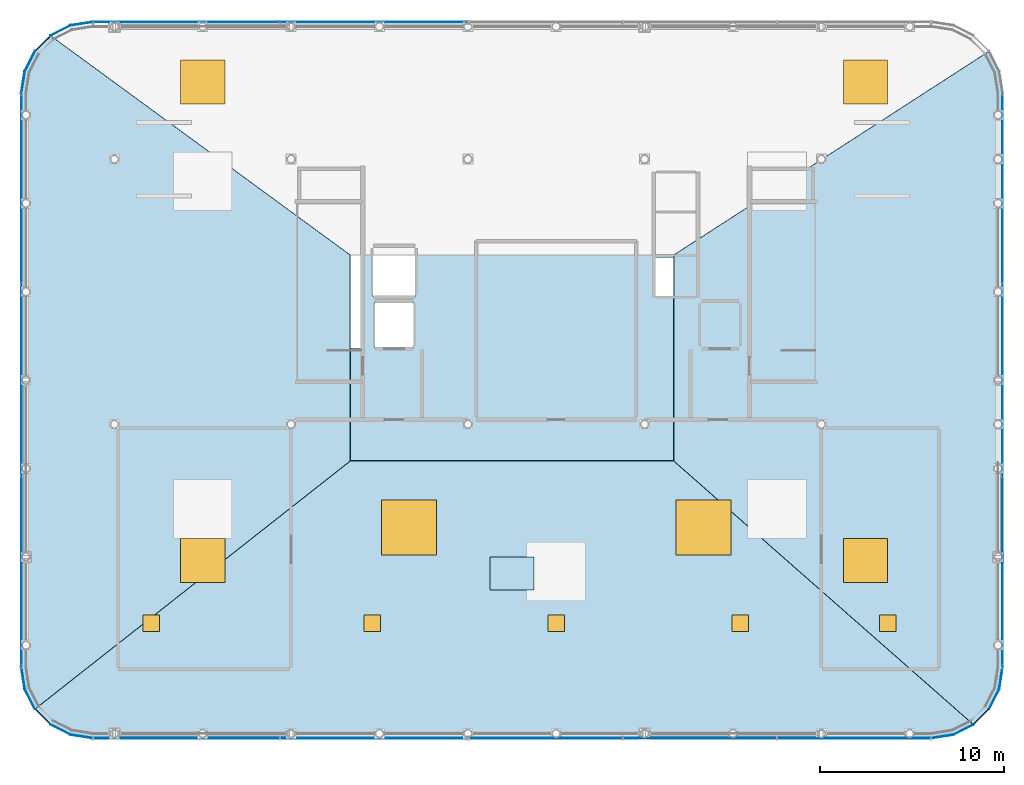
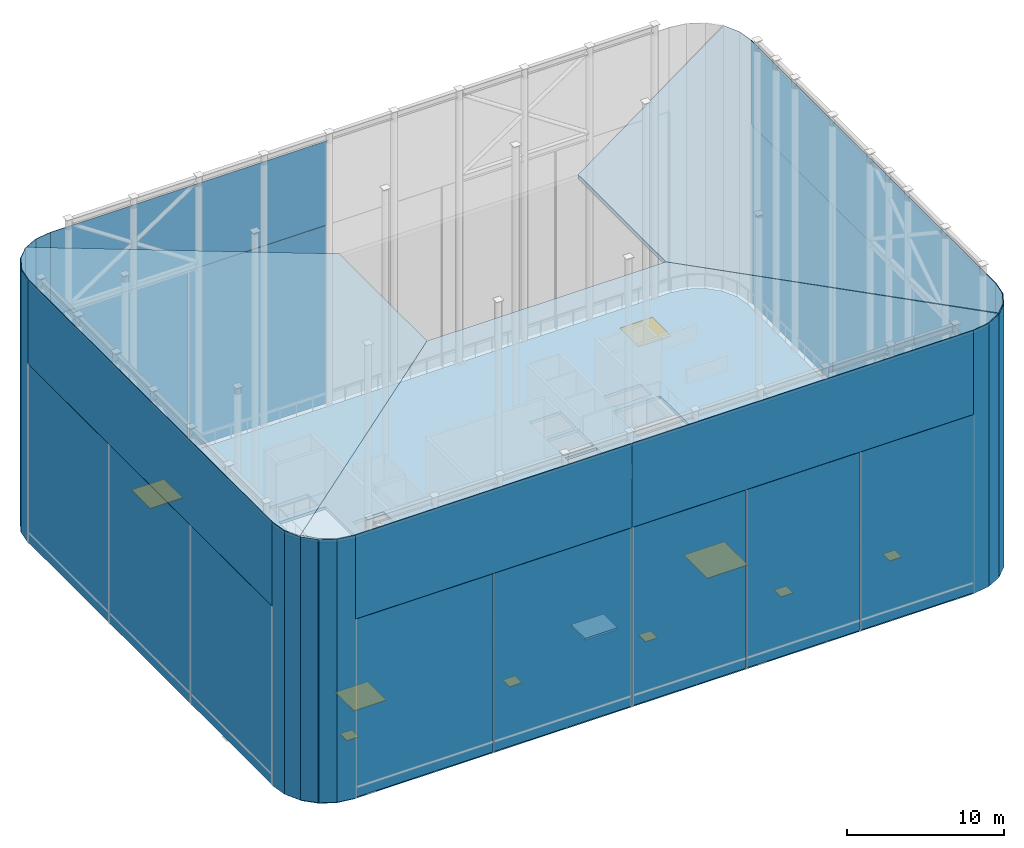
# One storey, part 35 of 42: 33 plates, 6 windows, 5 doors, 5 slabs, 11 openings, 5 elements without a shape of their own.
"""IFC4 building model written with IfcOpenShell, lengths in metres."""

from ifc_helpers import new_model, si_unit, direction, frame, origin, origin_2d, place, context, subcontext, project, spatial, polyline, rectangle, outline, extrude, material, layer, layer_set, type_object, element, fill, aggregate, save


model = new_model("IFC4")

# Units and contexts
model_context = context("Model", 3, precision=1e-05, world=origin(), true_north=direction((0.0, 1.0)))
body_context = subcontext(model_context, "Body", "Model", "MODEL_VIEW")
ifc_project = project(units=[si_unit("LENGTHUNIT", "METRE"), si_unit("AREAUNIT", "SQUARE_METRE"), si_unit("VOLUMEUNIT", "CUBIC_METRE"), si_unit("PLANEANGLEUNIT", "RADIAN"), si_unit("MASSUNIT", "GRAM", prefix="KILO")], contexts=[model_context])

# Site, building, storey
site_placement = place(None, origin())
site = spatial("IfcSite", under=ifc_project, at=site_placement, CompositionType="ELEMENT")
building_placement = place(site_placement, origin())
building = spatial("IfcBuilding", under=site, at=building_placement, Name="Kallvorn Hotel Tower", CompositionType="ELEMENT")
storey_placement = place(building_placement, frame((0.0, 0.0, 306.0)))
storey = spatial("IfcBuildingStorey", under=building, at=storey_placement, Name="ROOF", CompositionType="ELEMENT", Elevation=306.0)

# Curtain wall, plates
ifc_material_1 = material(Name="Thermally broken black-anodised aluminium AA 6063-T6", Category="aluminium")
ifc_layer_1 = layer(ifc_material_1, 0.18994140625)
ifc_layer_set_1 = layer_set([ifc_layer_1], Name="CW_SYS_7_CROWN_DRUM")
curtain_wall_type = type_object("IfcCurtainWallType", Name="CW_SYS_7_CROWN_DRUM", PredefinedType="USERDEFINED", material=ifc_layer_set_1)
curtain_wall_1_placement = place(storey_placement, origin())
curtain_wall_1 = element("IfcCurtainWall", 1, at=curtain_wall_1_placement, inside=storey, type_object=curtain_wall_type, Name="ROOF Dark-Glass Curtain Wall CW-ROOF-S1", ObjectType="UNITISED CURTAIN WALL", PredefinedType="USERDEFINED")
ifc_material_2 = material(Name="Double-glazed low-e solar-control dark glass", Category="glass")
ifc_layer_2 = layer(ifc_material_2, 0.0341796875)
ifc_layer_set_2 = layer_set([ifc_layer_2], Name="CW_SYS_7_CROWN_DRUM_PANEL")
plate_type_1 = type_object("IfcPlateType", Name="CW_SYS_7_CROWN_DRUM_PANEL", PredefinedType="CURTAIN_PANEL", material=ifc_layer_set_2)
plate_1_placement = place(storey_placement, frame((-20.10498046875, -24.25, 0.06005859375), z_axis=(0.0, 0.0, 1.0), x_axis=(1.0, 0.0, 0.0)))
plate_1 = element("IfcPlate", 2, at=plate_1_placement, type_object=plate_type_1, Name="CW-ROOF-S1 Vision Glass Panel 00", PredefinedType="CURTAIN_PANEL", context=body_context, shape_type="SweptSolid", body=[
    extrude(rectangle(XDim=10.1298828125, YDim=0.0341796875, at=origin_2d()), origin(), (0.0, 0.0, 1.0), 13.8798828125),
])
plate_2_placement = place(storey_placement, frame((-9.9150390625, -24.25, 0.06005859375), z_axis=(0.0, 0.0, 1.0), x_axis=(1.0, 0.0, 0.0)))
plate_2 = element("IfcPlate", 3, at=plate_2_placement, type_object=plate_type_1, Name="CW-ROOF-S1 Vision Glass Panel 01", PredefinedType="CURTAIN_PANEL", context=body_context, shape_type="SweptSolid", body=[
    extrude(rectangle(XDim=10.1298828125, YDim=0.0341796875, at=origin_2d()), origin(), (0.0, 0.0, 1.0), 13.8798828125),
])
aggregate(curtain_wall_1, [plate_1, plate_2])

curtain_wall_2_placement = place(storey_placement, origin())
curtain_wall_2 = element("IfcCurtainWall", 4, at=curtain_wall_2_placement, inside=storey, type_object=curtain_wall_type, Name="ROOF Dark-Glass Curtain Wall CW-ROOF-S2", ObjectType="UNITISED CURTAIN WALL", PredefinedType="USERDEFINED")
plate_3_placement = place(storey_placement, frame((-0.58349609375, -24.25, 0.06005859375), z_axis=(0.0, 0.0, 1.0), x_axis=(1.0, 0.0, 0.0)))
plate_3 = element("IfcPlate", 5, at=plate_3_placement, type_object=plate_type_1, Name="CW-ROOF-S2 Vision Glass Panel 00", PredefinedType="CURTAIN_PANEL", context=body_context, shape_type="SweptSolid", body=[
    extrude(rectangle(XDim=8.333251953125, YDim=0.0341796875, at=origin_2d()), origin(), (0.0, 0.0, 1.0), 13.8798828125),
])
plate_4_placement = place(storey_placement, frame((7.81005859375, -24.25, 0.06005859375), z_axis=(0.0, 0.0, 1.0), x_axis=(1.0, 0.0, 0.0)))
plate_4 = element("IfcPlate", 6, at=plate_4_placement, type_object=plate_type_1, Name="CW-ROOF-S2 Vision Glass Panel 01", PredefinedType="CURTAIN_PANEL", context=body_context, shape_type="SweptSolid", body=[
    extrude(rectangle(XDim=8.33349609375, YDim=0.0341796875, at=origin_2d()), origin(), (0.0, 0.0, 1.0), 13.8798828125),
])
plate_5_placement = place(storey_placement, frame((16.203369140625, -24.25, 0.06005859375), z_axis=(0.0, 0.0, 1.0), x_axis=(1.0, 0.0, 0.0)))
plate_5 = element("IfcPlate", 7, at=plate_5_placement, type_object=plate_type_1, Name="CW-ROOF-S2 Vision Glass Panel 02", PredefinedType="CURTAIN_PANEL", context=body_context, shape_type="SweptSolid", body=[
    extrude(rectangle(XDim=8.333251953125, YDim=0.0341796875, at=origin_2d()), origin(), (0.0, 0.0, 1.0), 13.8798828125),
])
aggregate(curtain_wall_2, [plate_3, plate_4, plate_5])

curtain_wall_3_placement = place(storey_placement, origin())
curtain_wall_3 = element("IfcCurtainWall", 8, at=curtain_wall_3_placement, inside=storey, type_object=curtain_wall_type, Name="ROOF Dark-Glass Curtain Wall CW-ROOF-N1", ObjectType="UNITISED CURTAIN WALL", PredefinedType="USERDEFINED")
plate_6_placement = place(storey_placement, frame((-20.10498046875, 14.64990234375, 0.06005859375), z_axis=(0.0, 0.0, 1.0), x_axis=(1.0, 0.0, 0.0)))
plate_6 = element("IfcPlate", 9, at=plate_6_placement, type_object=plate_type_1, Name="CW-ROOF-N1 Vision Glass Panel 00", PredefinedType="CURTAIN_PANEL", context=body_context, shape_type="SweptSolid", body=[
    extrude(rectangle(XDim=10.1298828125, YDim=0.0341796875, at=origin_2d()), origin(), (0.0, 0.0, 1.0), 13.8798828125),
])
plate_7_placement = place(storey_placement, frame((-9.9150390625, 14.64990234375, 0.06005859375), z_axis=(0.0, 0.0, 1.0), x_axis=(1.0, 0.0, 0.0)))
plate_7 = element("IfcPlate", 10, at=plate_7_placement, type_object=plate_type_1, Name="CW-ROOF-N1 Vision Glass Panel 01", PredefinedType="CURTAIN_PANEL", context=body_context, shape_type="SweptSolid", body=[
    extrude(rectangle(XDim=10.1298828125, YDim=0.0341796875, at=origin_2d()), origin(), (0.0, 0.0, 1.0), 13.8798828125),
])
aggregate(curtain_wall_3, [plate_6, plate_7])

curtain_wall_4_placement = place(storey_placement, origin())
curtain_wall_4 = element("IfcCurtainWall", 11, at=curtain_wall_4_placement, inside=storey, type_object=curtain_wall_type, Name="ROOF Dark-Glass Curtain Wall CW-ROOF-W1", ObjectType="UNITISED CURTAIN WALL", PredefinedType="USERDEFINED")
plate_8_placement = place(storey_placement, frame((-29.050048828125, -15.199951171875, 0.06005859375), z_axis=(0.0, 0.0, 1.0), x_axis=(0.0, 1.0, 0.0)))
plate_8 = element("IfcPlate", 12, at=plate_8_placement, type_object=plate_type_1, Name="CW-ROOF-W1 Vision Glass Panel 00", PredefinedType="CURTAIN_PANEL", context=body_context, shape_type="SweptSolid", body=[
    extrude(rectangle(XDim=10.340087890625, YDim=0.0341796875, at=origin_2d()), origin(), (0.0, 0.0, 1.0), 13.8798828125),
])
plate_9_placement = place(storey_placement, frame((-29.050048828125, -4.800048828125, 0.06005859375), z_axis=(0.0, 0.0, 1.0), x_axis=(0.0, 1.0, 0.0)))
plate_9 = element("IfcPlate", 13, at=plate_9_placement, type_object=plate_type_1, Name="CW-ROOF-W1 Vision Glass Panel 01", PredefinedType="CURTAIN_PANEL", context=body_context, shape_type="SweptSolid", body=[
    extrude(rectangle(XDim=10.340087890625, YDim=0.0341796875, at=origin_2d()), origin(), (0.0, 0.0, 1.0), 13.8798828125),
])
plate_10_placement = place(storey_placement, frame((-29.050048828125, 5.60009765625, 0.06005859375), z_axis=(0.0, 0.0, 1.0), x_axis=(0.0, 1.0, 0.0)))
plate_10 = element("IfcPlate", 14, at=plate_10_placement, type_object=plate_type_1, Name="CW-ROOF-W1 Vision Glass Panel 02", PredefinedType="CURTAIN_PANEL", context=body_context, shape_type="SweptSolid", body=[
    extrude(rectangle(XDim=10.340087890625, YDim=0.0341796875, at=origin_2d()), origin(), (0.0, 0.0, 1.0), 13.8798828125),
])
aggregate(curtain_wall_4, [plate_8, plate_9, plate_10])

curtain_wall_5_placement = place(storey_placement, origin())
curtain_wall_5 = element("IfcCurtainWall", 15, at=curtain_wall_5_placement, inside=storey, type_object=curtain_wall_type, Name="ROOF Dark-Glass Curtain Wall CW-ROOF-E1", ObjectType="UNITISED CURTAIN WALL", PredefinedType="USERDEFINED")
plate_11_placement = place(storey_placement, frame((24.25, -15.199951171875, 0.06005859375), z_axis=(0.0, 0.0, 1.0), x_axis=(0.0, 1.0, 0.0)))
plate_11 = element("IfcPlate", 16, at=plate_11_placement, type_object=plate_type_1, Name="CW-ROOF-E1 Vision Glass Panel 00", PredefinedType="CURTAIN_PANEL", context=body_context, shape_type="SweptSolid", body=[
    extrude(rectangle(XDim=10.340087890625, YDim=0.0341796875, at=origin_2d()), origin(), (0.0, 0.0, 1.0), 13.8798828125),
])
plate_12_placement = place(storey_placement, frame((24.25, -4.800048828125, 0.06005859375), z_axis=(0.0, 0.0, 1.0), x_axis=(0.0, 1.0, 0.0)))
plate_12 = element("IfcPlate", 17, at=plate_12_placement, type_object=plate_type_1, Name="CW-ROOF-E1 Vision Glass Panel 01", PredefinedType="CURTAIN_PANEL", context=body_context, shape_type="SweptSolid", body=[
    extrude(rectangle(XDim=10.340087890625, YDim=0.0341796875, at=origin_2d()), origin(), (0.0, 0.0, 1.0), 13.8798828125),
])
plate_13_placement = place(storey_placement, frame((24.25, 5.60009765625, 0.06005859375), z_axis=(0.0, 0.0, 1.0), x_axis=(0.0, 1.0, 0.0)))
plate_13 = element("IfcPlate", 18, at=plate_13_placement, type_object=plate_type_1, Name="CW-ROOF-E1 Vision Glass Panel 02", PredefinedType="CURTAIN_PANEL", context=body_context, shape_type="SweptSolid", body=[
    extrude(rectangle(XDim=10.340087890625, YDim=0.0341796875, at=origin_2d()), origin(), (0.0, 0.0, 1.0), 13.8798828125),
])
aggregate(curtain_wall_5, [plate_11, plate_12, plate_13])

# Plates
ifc_material_3 = material(Name="Perforated black-anodised aluminium acoustic louvre screen", Category="aluminium")
ifc_layer_3 = layer(ifc_material_3, 0.0400390625)
ifc_layer_set_3 = layer_set([ifc_layer_3], Name="PLT_CROWN_LOUVRE")
plate_type_2 = type_object("IfcPlateType", Name="PLT_CROWN_LOUVRE", PredefinedType="SHEET", material=ifc_layer_set_3)
plate_14_placement = place(storey_placement, frame((-15.010009765625, -24.25, 13.9599609375), z_axis=(0.0, 0.0, 1.0), x_axis=(1.0, 0.0, 0.0)))
element("IfcPlate", 19, at=plate_14_placement, inside=storey, type_object=plate_type_2, Name="Crown Ring Acoustic Louvre Screen S1", PredefinedType="SHEET", context=body_context, shape_type="SweptSolid", body=[
    extrude(rectangle(XDim=20.3798828125, YDim=0.0400390625, at=origin_2d()), origin(), (0.0, 0.0, 1.0), 6.5400390625),
])
plate_15_placement = place(storey_placement, frame((7.81005859375, -24.25, 13.9599609375), z_axis=(0.0, 0.0, 1.0), x_axis=(1.0, 0.0, 0.0)))
element("IfcPlate", 20, at=plate_15_placement, inside=storey, type_object=plate_type_2, Name="Crown Ring Acoustic Louvre Screen S2", PredefinedType="SHEET", context=body_context, shape_type="SweptSolid", body=[
    extrude(rectangle(XDim=25.179931640625, YDim=0.0400390625, at=origin_2d()), origin(), (0.0, 0.0, 1.0), 6.5400390625),
])
plate_16_placement = place(storey_placement, frame((-15.010009765625, 14.64990234375, 13.9599609375), z_axis=(0.0, 0.0, 1.0), x_axis=(1.0, 0.0, 0.0)))
element("IfcPlate", 21, at=plate_16_placement, inside=storey, type_object=plate_type_2, Name="Crown Ring Acoustic Louvre Screen N1", PredefinedType="SHEET", context=body_context, shape_type="SweptSolid", body=[
    extrude(rectangle(XDim=20.3798828125, YDim=0.0400390625, at=origin_2d()), origin(), (0.0, 0.0, 1.0), 6.5400390625),
])
for number, where, z_axis, x_axis, name in (
    (22, (-29.050048828125, -4.800048828125, 13.9599609375), (0.0, 0.0, 1.0), (0.0, 1.0, 0.0), "Crown Ring Acoustic Louvre Screen W1"),
    (23, (24.25, -4.800048828125, 13.9599609375), (0.0, 0.0, 1.0), (0.0, 1.0, 0.0), "Crown Ring Acoustic Louvre Screen E1"),
):
    element("IfcPlate", number, at=place(storey_placement, frame(where, z_axis=z_axis, x_axis=x_axis)), inside=storey, type_object=plate_type_2, Name=name, PredefinedType="SHEET", context=body_context, shape_type="SweptSolid", body=[
        extrude(rectangle(XDim=31.199951171875, YDim=0.0400390625, at=origin_2d()), origin(), (0.0, 0.0, 1.0), 6.5400390625),
    ])
for number, where, z_axis, x_axis, name in (
    (24, (-28.955810546875, -20.994873046875, 0.0), (0.0, 0.0, 1.0), (0.15643446504, -0.987688340595, 0.0), "Crown Ring Rounded Corner Cladding SW1"),
    (25, (-28.588134765625, -22.126220703125, 0.0), (0.0, 0.0, 1.0), (0.45399049974, -0.891006524188, 0.0), "Crown Ring Rounded Corner Cladding SW2"),
    (26, (-27.888916015625, -23.0888671875, 0.0), (0.0, 0.0, 1.0), (0.707106781187, -0.707106781187, 0.0), "Crown Ring Rounded Corner Cladding SW3"),
    (27, (-26.92626953125, -23.7880859375, 0.0), (0.0, 0.0, 1.0), (0.891006524188, -0.45399049974, 0.0), "Crown Ring Rounded Corner Cladding SW4"),
    (28, (-25.794921875, -24.15576171875, 0.0), (0.0, 0.0, 1.0), (0.987688340595, -0.15643446504, 0.0), "Crown Ring Rounded Corner Cladding SW5"),
    (29, (20.994873046875, -24.15576171875, 0.0), (0.0, 0.0, 1.0), (0.987688340595, 0.15643446504, 0.0), "Crown Ring Rounded Corner Cladding SE1"),
    (30, (22.126220703125, -23.7880859375, 0.0), (0.0, 0.0, 1.0), (0.891006524188, 0.45399049974, 0.0), "Crown Ring Rounded Corner Cladding SE2"),
    (31, (23.0888671875, -23.0888671875, 0.0), (0.0, 0.0, 1.0), (0.707106781187, 0.707106781187, 0.0), "Crown Ring Rounded Corner Cladding SE3"),
    (32, (23.7880859375, -22.126220703125, 0.0), (0.0, 0.0, 1.0), (0.45399049974, 0.891006524188, 0.0), "Crown Ring Rounded Corner Cladding SE4"),
    (33, (24.15576171875, -20.994873046875, 0.0), (0.0, 0.0, 1.0), (0.15643446504, 0.987688340595, 0.0), "Crown Ring Rounded Corner Cladding SE5"),
    (34, (-25.794921875, 14.555908203125, 0.0), (0.0, 0.0, 1.0), (-0.987688340595, -0.15643446504, 0.0), "Crown Ring Rounded Corner Cladding NW1"),
    (35, (-26.92626953125, 14.18798828125, 0.0), (0.0, 0.0, 1.0), (-0.891006524188, -0.45399049974, 0.0), "Crown Ring Rounded Corner Cladding NW2"),
    (36, (-27.888916015625, 13.48876953125, 0.0), (0.0, 0.0, 1.0), (-0.707106781187, -0.707106781187, 0.0), "Crown Ring Rounded Corner Cladding NW3"),
    (37, (-28.588134765625, 12.5263671875, 0.0), (0.0, 0.0, 1.0), (-0.45399049974, -0.891006524188, 0.0), "Crown Ring Rounded Corner Cladding NW4"),
    (38, (-28.955810546875, 11.39501953125, 0.0), (0.0, 0.0, 1.0), (-0.15643446504, -0.987688340595, 0.0), "Crown Ring Rounded Corner Cladding NW5"),
):
    element("IfcPlate", number, at=place(storey_placement, frame(where, z_axis=z_axis, x_axis=x_axis)), inside=storey, type_object=plate_type_2, Name=name, PredefinedType="SHEET", context=body_context, shape_type="SweptSolid", body=[
        extrude(rectangle(XDim=1.244384765625, YDim=0.0400390625, at=origin_2d()), origin(), (0.0, 0.0, 1.0), 20.5),
    ])

# Slabs
ifc_material_4 = material(Name="Concrete C40/50", Category="concrete")
ifc_layer_4 = layer(ifc_material_4, 0.159912109375)
ifc_layer_set_4 = layer_set([ifc_layer_4], Name="SLB_BALCONY_160")
slab_type_1 = type_object("IfcSlabType", Name="SLB_BALCONY_160", PredefinedType="FLOOR", material=ifc_layer_set_4)
slab_1_placement = place(storey_placement, frame((0.0, 0.0, -0.159912109375)))
element("IfcSlab", 39, at=slab_1_placement, inside=storey, type_object=slab_type_1, Name="ROOF Exterior Maintenance Walkway Deck", PredefinedType="FLOOR", context=body_context, shape_type="SweptSolid", body=[
    extrude(outline(polyline([(-3.60009765625, -16.199951171875), (-1.199951171875, -16.199951171875), (-1.199951171875, -14.39990234375), (-3.60009765625, -14.39990234375), (-3.60009765625, -16.199951171875)])), origin(), (0.0, 0.0, 1.0), 0.159912109375),
])
ifc_material_5 = material(Name="Concrete C40/50", Category="concrete")
ifc_layer_5 = layer(ifc_material_5, 0.320068359375)
ifc_layer_set_5 = layer_set([ifc_layer_5], Name="SLB_CROWN_CAP_320")
slab_type_2 = type_object("IfcSlabType", Name="SLB_CROWN_CAP_320", PredefinedType="ROOF", material=ifc_layer_set_5)
slab_2_placement = place(storey_placement, frame((-28.290283203125, -22.645263671875, 20.615234375), z_axis=(-1.815618e-06, -0.073045474026, 0.997328611201), x_axis=(0.706062303957, -0.706258068294, -0.05172585331)))
element("IfcSlab", 40, at=slab_2_placement, inside=storey, type_object=slab_type_2, Name="Crown Ring Sloped Cap Roof Slab S", PredefinedType="ROOF", context=body_context, shape_type="SweptSolid", body=[
    extrude(outline(polyline([(0.0, 0.0), (1.1967367449502495, 1.0495077029659683e-16), (2.333841362064529, 0.3700837460166586), (3.3000770963742223, 1.073603468764682), (35.49641472973931, 33.36512687101318), (36.19707901478232, 34.33343521756568), (36.56380436342119, 35.47162738432852), (14.946629004470061, 34.084507310246515), (2.52003588191399, 21.621176008508655), (0.0, 0.0)])), origin(), (0.0, 0.0, -1.0), 0.320068359375),
])
slab_3_placement = place(storey_placement, frame((22.645263671875, -23.490478515625, 20.59716796875), z_axis=(0.061614991539, 1.212928e-06, 0.998099991392), x_axis=(0.706435786956, 0.706432290568, -0.043610752693)))
element("IfcSlab", 41, at=slab_3_placement, inside=storey, type_object=slab_type_2, Name="Crown Ring Sloped Cap Roof Slab E", PredefinedType="ROOF", context=body_context, shape_type="SweptSolid", body=[
    extrude(outline(polyline([(0.0, 0.0), (1.1964555628576703, 1.2576745200831851e-17), (2.3334508370747504, 0.36979145731078356), (3.2999497733738776, 1.072910254251523), (25.34060274533083, 23.15563132063547), (26.041877307516177, 24.123469233362037), (26.409500027174854, 25.261167572859687), (6.487253992675215, 29.539764102308162), (-1.4247531679220315, 21.61265561668381), (0.0, 0.0)])), origin(), (0.0, 0.0, -1.0), 0.320068359375),
])
slab_4_placement = place(storey_placement, frame((-27.4453125, 13.890380859375, 20.59716796875), z_axis=(-0.061614623802, -1.495095e-06, 0.998100014093), x_axis=(-0.706436177931, -0.706431901901, -0.043610715271)))
element("IfcSlab", 42, at=slab_4_placement, inside=storey, type_object=slab_type_2, Name="Crown Ring Sloped Cap Roof Slab W", PredefinedType="ROOF", context=body_context, shape_type="SweptSolid", body=[
    extrude(outline(polyline([(0.0, 0.0), (1.1961106243572632, -3.8163916471489756e-17), (2.3332781652816195, 0.3696199406004263), (3.2997767154783513, 1.0727392682458872), (25.3404175610552, 23.15547243788541), (26.041691591763264, 24.123310735737153), (26.409141216900274, 25.26118141818094), (4.791697725584339, 27.840989545057393), (-3.1203050819655487, 19.913876714686772), (0.0, 0.0)])), origin(), (0.0, 0.0, -1.0), 0.320068359375),
])

# Slab, openings, doors, windows
ifc_material_6 = material(Name="Concrete C40/50", Category="concrete")
ifc_layer_6 = layer(ifc_material_6, 0.239990234375)
ifc_layer_set_6 = layer_set([ifc_layer_6], Name="SLB_MAIN_ROOF_240")
slab_type_3 = type_object("IfcSlabType", Name="SLB_MAIN_ROOF_240", PredefinedType="ROOF", material=ifc_layer_set_6)
slab_5_placement = place(storey_placement, frame((0.0, 0.0, -0.239990234375)))
slab_5 = element("IfcSlab", 43, at=slab_5_placement, inside=storey, type_object=slab_type_3, Name="ROOF Structural Roof Slab", PredefinedType="ROOF", context=body_context, shape_type="SweptSolid", body=[
    extrude(outline(polyline([(20.39990234375, -24.0), (21.512451171875, -23.82373046875), (22.51611328125, -23.3125), (23.3125, -22.51611328125), (23.82373046875, -21.512451171875), (24.0, -20.39990234375), (24.0, 10.800048828125), (23.82373046875, 11.91259765625), (23.3125, 12.916015625), (22.51611328125, 13.71240234375), (21.512451171875, 14.223876953125), (20.39990234375, 14.39990234375), (-25.199951171875, 14.39990234375), (-26.3125, 14.223876953125), (-27.31591796875, 13.71240234375), (-28.112548828125, 12.916015625), (-28.623779296875, 11.91259765625), (-28.800048828125, 10.800048828125), (-28.800048828125, -20.39990234375), (-28.623779296875, -21.512451171875), (-28.112548828125, -22.51611328125), (-27.31591796875, -23.3125), (-26.3125, -23.82373046875), (-25.199951171875, -24.0), (20.39990234375, -24.0)]), holes=[polyline([(-10.60009765625, -3.070068359375), (-10.60009765625, 4.800048828125), (-14.06005859375, 4.800048828125), (-14.06005859375, -3.070068359375), (-10.60009765625, -3.070068359375)]), polyline([(14.06005859375, -3.070068359375), (14.06005859375, 4.800048828125), (10.60009765625, 4.800048828125), (10.60009765625, -3.070068359375), (14.06005859375, -3.070068359375)]), polyline([(5.35009765625, -0.25), (7.64990234375, -0.25), (7.64990234375, 1.85009765625), (5.35009765625, 1.85009765625), (5.35009765625, -0.25)]), polyline([(5.35009765625, 2.10009765625), (7.64990234375, 2.10009765625), (7.64990234375, 4.199951171875), (5.35009765625, 4.199951171875), (5.35009765625, 2.10009765625)]), polyline([(5.35009765625, 4.449951171875), (7.64990234375, 4.449951171875), (7.64990234375, 6.449951171875), (5.35009765625, 6.449951171875), (5.35009765625, 4.449951171875)]), polyline([(-9.85009765625, -3.050048828125), (-7.75, -3.050048828125), (-7.75, -0.550048828125), (-9.85009765625, -0.550048828125), (-9.85009765625, -3.050048828125)]), polyline([(7.85009765625, -3.050048828125), (9.949951171875, -3.050048828125), (9.949951171875, -0.550048828125), (7.85009765625, -0.550048828125), (7.85009765625, -3.050048828125)]), polyline([(-9.949951171875, -0.25), (-7.64990234375, -0.25), (-7.64990234375, 2.449951171875), (-9.949951171875, 2.449951171875), (-9.949951171875, -0.25)]), polyline([(-13.699951171875, 5.199951171875), (-10.89990234375, 5.199951171875), (-10.89990234375, 6.550048828125), (-13.699951171875, 6.550048828125), (-13.699951171875, 5.199951171875)]), polyline([(10.89990234375, 5.199951171875), (13.699951171875, 5.199951171875), (13.699951171875, 6.550048828125), (10.89990234375, 6.550048828125), (10.89990234375, 5.199951171875)]), polyline([(-3.6298828125, -16.22998046875), (-1.169921875, -16.22998046875), (-1.169921875, -14.3701171875), (-3.6298828125, -14.3701171875), (-3.6298828125, -16.22998046875)]), polyline([(-22.449951171875, -18.449951171875), (-21.550048828125, -18.449951171875), (-21.550048828125, -17.550048828125), (-22.449951171875, -17.550048828125), (-22.449951171875, -18.449951171875)]), polyline([(-10.449951171875, -18.449951171875), (-9.550048828125, -18.449951171875), (-9.550048828125, -17.550048828125), (-10.449951171875, -17.550048828125), (-10.449951171875, -18.449951171875)]), polyline([(-0.449951171875, -18.449951171875), (0.449951171875, -18.449951171875), (0.449951171875, -17.550048828125), (-0.449951171875, -17.550048828125), (-0.449951171875, -18.449951171875)]), polyline([(9.550048828125, -18.449951171875), (10.449951171875, -18.449951171875), (10.449951171875, -17.550048828125), (9.550048828125, -17.550048828125), (9.550048828125, -18.449951171875)]), polyline([(17.550048828125, -18.449951171875), (18.449951171875, -18.449951171875), (18.449951171875, -17.550048828125), (17.550048828125, -17.550048828125), (17.550048828125, -18.449951171875)]), polyline([(-9.5, -14.300048828125), (-6.5, -14.300048828125), (-6.5, -11.300048828125), (-9.5, -11.300048828125), (-9.5, -14.300048828125)]), polyline([(6.5, -14.300048828125), (9.5, -14.300048828125), (9.5, -11.300048828125), (6.5, -11.300048828125), (6.5, -14.300048828125)]), polyline([(-20.39990234375, -15.800048828125), (-18.0, -15.800048828125), (-18.0, -13.39990234375), (-20.39990234375, -13.39990234375), (-20.39990234375, -15.800048828125)]), polyline([(15.60009765625, -15.800048828125), (18.0, -15.800048828125), (18.0, -13.39990234375), (15.60009765625, -13.39990234375), (15.60009765625, -15.800048828125)]), polyline([(-20.39990234375, 10.199951171875), (-18.0, 10.199951171875), (-18.0, 12.60009765625), (-20.39990234375, 12.60009765625), (-20.39990234375, 10.199951171875)]), polyline([(15.60009765625, 10.199951171875), (18.0, 10.199951171875), (18.0, 12.60009765625), (15.60009765625, 12.60009765625), (15.60009765625, 10.199951171875)])]), origin(), (0.0, 0.0, 1.0), 0.239990234375),
])
opening_1_placement = place(slab_5_placement, frame((-8.0, -12.800048828125, 0.0)))
opening_1 = element("IfcOpeningElement", 44, at=opening_1_placement, cuts=slab_5, Name="Opening SK1", PredefinedType="OPENING", context=body_context, shape_type="SweptSolid", body=[
    extrude(rectangle(XDim=3.0, YDim=3.0, at=origin_2d()), origin(), (0.0, 0.0, 1.0), 0.239990234375),
])
opening_2_placement = place(slab_5_placement, frame((8.0, -12.800048828125, 0.0)))
opening_2 = element("IfcOpeningElement", 45, at=opening_2_placement, cuts=slab_5, Name="Opening SK1", PredefinedType="OPENING", context=body_context, shape_type="SweptSolid", body=[
    extrude(rectangle(XDim=3.0, YDim=3.0, at=origin_2d()), origin(), (0.0, 0.0, 1.0), 0.239990234375),
])
opening_3_placement = place(slab_5_placement, frame((-19.199951171875, -14.60009765625, 0.0)))
opening_3 = element("IfcOpeningElement", 46, at=opening_3_placement, cuts=slab_5, Name="Opening SK2", PredefinedType="OPENING", context=body_context, shape_type="SweptSolid", body=[
    extrude(rectangle(XDim=2.39990234375, YDim=2.39990234375, at=origin_2d()), origin(), (0.0, 0.0, 1.0), 0.239990234375),
])
opening_4_placement = place(slab_5_placement, frame((16.800048828125, -14.60009765625, 0.0)))
opening_4 = element("IfcOpeningElement", 47, at=opening_4_placement, cuts=slab_5, Name="Opening SK2", PredefinedType="OPENING", context=body_context, shape_type="SweptSolid", body=[
    extrude(rectangle(XDim=2.39990234375, YDim=2.39990234375, at=origin_2d()), origin(), (0.0, 0.0, 1.0), 0.239990234375),
])
opening_5_placement = place(slab_5_placement, frame((-19.199951171875, 11.39990234375, 0.0)))
opening_5 = element("IfcOpeningElement", 48, at=opening_5_placement, cuts=slab_5, Name="Opening SK2", PredefinedType="OPENING", context=body_context, shape_type="SweptSolid", body=[
    extrude(rectangle(XDim=2.39990234375, YDim=2.39990234375, at=origin_2d()), origin(), (0.0, 0.0, 1.0), 0.239990234375),
])
opening_6_placement = place(slab_5_placement, frame((16.800048828125, 11.39990234375, 0.0)))
opening_6 = element("IfcOpeningElement", 49, at=opening_6_placement, cuts=slab_5, Name="Opening SK2", PredefinedType="OPENING", context=body_context, shape_type="SweptSolid", body=[
    extrude(rectangle(XDim=2.39990234375, YDim=2.39990234375, at=origin_2d()), origin(), (0.0, 0.0, 1.0), 0.239990234375),
])
opening_7_placement = place(slab_5_placement, frame((-22.0, -18.0, 0.0)))
opening_7 = element("IfcOpeningElement", 50, at=opening_7_placement, cuts=slab_5, Name="Opening RH1", PredefinedType="OPENING", context=body_context, shape_type="SweptSolid", body=[
    extrude(rectangle(XDim=0.89990234375, YDim=0.89990234375, at=origin_2d()), origin(), (0.0, 0.0, 1.0), 0.239990234375),
])
opening_8_placement = place(slab_5_placement, frame((-10.0, -18.0, 0.0)))
opening_8 = element("IfcOpeningElement", 51, at=opening_8_placement, cuts=slab_5, Name="Opening RH1", PredefinedType="OPENING", context=body_context, shape_type="SweptSolid", body=[
    extrude(rectangle(XDim=0.89990234375, YDim=0.89990234375, at=origin_2d()), origin(), (0.0, 0.0, 1.0), 0.239990234375),
])
opening_9_placement = place(slab_5_placement, frame((0.0, -18.0, 0.0)))
opening_9 = element("IfcOpeningElement", 52, at=opening_9_placement, cuts=slab_5, Name="Opening RH1", PredefinedType="OPENING", context=body_context, shape_type="SweptSolid", body=[
    extrude(rectangle(XDim=0.89990234375, YDim=0.89990234375, at=origin_2d()), origin(), (0.0, 0.0, 1.0), 0.239990234375),
])
opening_10_placement = place(slab_5_placement, frame((10.0, -18.0, 0.0)))
opening_10 = element("IfcOpeningElement", 53, at=opening_10_placement, cuts=slab_5, Name="Opening RH1", PredefinedType="OPENING", context=body_context, shape_type="SweptSolid", body=[
    extrude(rectangle(XDim=0.89990234375, YDim=0.89990234375, at=origin_2d()), origin(), (0.0, 0.0, 1.0), 0.239990234375),
])
opening_11_placement = place(slab_5_placement, frame((18.0, -18.0, 0.0)))
opening_11 = element("IfcOpeningElement", 54, at=opening_11_placement, cuts=slab_5, Name="Opening RH1", PredefinedType="OPENING", context=body_context, shape_type="SweptSolid", body=[
    extrude(rectangle(XDim=0.89990234375, YDim=0.89990234375, at=origin_2d()), origin(), (0.0, 0.0, 1.0), 0.239990234375),
])
ifc_material_7 = material(Name="Galvanised painted steel fire-rated door assembly", Category="steel")
door_type = type_object("IfcDoorType", Name="DR_HATCH_900x900", OperationType="SINGLE_SWING_LEFT", PredefinedType="TRAPDOOR", material=ifc_material_7)
door_1_placement = place(opening_7_placement, frame((0.0, 0.0, 0.18994140625)))
door_1 = element("IfcDoor", 55, at=door_1_placement, inside=storey, type_object=door_type, Name="Main Roof Access Trapdoor Hatch 1", OperationType="SINGLE_SWING_LEFT", OverallHeight=0.89990234375, OverallWidth=0.89990234375, PredefinedType="TRAPDOOR", context=body_context, shape_type="SweptSolid", body=[
    extrude(rectangle(XDim=0.89990234375, YDim=0.89990234375, at=origin_2d()), origin(), (0.0, 0.0, 1.0), 0.050048828125),
])
fill(opening_7, door_1)
door_2_placement = place(opening_8_placement, frame((0.0, 0.0, 0.18994140625)))
door_2 = element("IfcDoor", 56, at=door_2_placement, inside=storey, type_object=door_type, Name="Main Roof Access Trapdoor Hatch 2", OperationType="SINGLE_SWING_LEFT", OverallHeight=0.89990234375, OverallWidth=0.89990234375, PredefinedType="TRAPDOOR", context=body_context, shape_type="SweptSolid", body=[
    extrude(rectangle(XDim=0.89990234375, YDim=0.89990234375, at=origin_2d()), origin(), (0.0, 0.0, 1.0), 0.050048828125),
])
fill(opening_8, door_2)
door_3_placement = place(opening_9_placement, frame((0.0, 0.0, 0.18994140625)))
door_3 = element("IfcDoor", 57, at=door_3_placement, inside=storey, type_object=door_type, Name="Main Roof Access Trapdoor Hatch 3", OperationType="SINGLE_SWING_LEFT", OverallHeight=0.89990234375, OverallWidth=0.89990234375, PredefinedType="TRAPDOOR", context=body_context, shape_type="SweptSolid", body=[
    extrude(rectangle(XDim=0.89990234375, YDim=0.89990234375, at=origin_2d()), origin(), (0.0, 0.0, 1.0), 0.050048828125),
])
fill(opening_9, door_3)
door_4_placement = place(opening_10_placement, frame((0.0, 0.0, 0.18994140625)))
door_4 = element("IfcDoor", 58, at=door_4_placement, inside=storey, type_object=door_type, Name="Main Roof Access Trapdoor Hatch 4", OperationType="SINGLE_SWING_LEFT", OverallHeight=0.89990234375, OverallWidth=0.89990234375, PredefinedType="TRAPDOOR", context=body_context, shape_type="SweptSolid", body=[
    extrude(rectangle(XDim=0.89990234375, YDim=0.89990234375, at=origin_2d()), origin(), (0.0, 0.0, 1.0), 0.050048828125),
])
fill(opening_10, door_4)
door_5_placement = place(opening_11_placement, frame((0.0, 0.0, 0.18994140625)))
door_5 = element("IfcDoor", 59, at=door_5_placement, inside=storey, type_object=door_type, Name="Main Roof Access Trapdoor Hatch 5", OperationType="SINGLE_SWING_LEFT", OverallHeight=0.89990234375, OverallWidth=0.89990234375, PredefinedType="TRAPDOOR", context=body_context, shape_type="SweptSolid", body=[
    extrude(rectangle(XDim=0.89990234375, YDim=0.89990234375, at=origin_2d()), origin(), (0.0, 0.0, 1.0), 0.050048828125),
])
fill(opening_11, door_5)
ifc_material_8 = material(Name="Laminated insulated safety skylight glass", Category="glass")
window_type_1 = type_object("IfcWindowType", Name="WN_SKY_2400x2400", PartitioningType="SINGLE_PANEL", PredefinedType="SKYLIGHT", material=ifc_material_8)
window_1_placement = place(opening_3_placement, frame((0.0, 0.0, 0.18994140625)))
window_1 = element("IfcWindow", 60, at=window_1_placement, inside=storey, type_object=window_type_1, Name="Main Roof Ocular Skylight Unit SK-CR-3", OverallHeight=2.39990234375, OverallWidth=2.39990234375, PartitioningType="SINGLE_PANEL", PredefinedType="SKYLIGHT", context=body_context, shape_type="SweptSolid", body=[
    extrude(rectangle(XDim=2.39990234375, YDim=2.39990234375, at=origin_2d()), origin(), (0.0, 0.0, 1.0), 0.050048828125),
])
fill(opening_3, window_1)
window_2_placement = place(opening_4_placement, frame((0.0, 0.0, 0.18994140625)))
window_2 = element("IfcWindow", 61, at=window_2_placement, inside=storey, type_object=window_type_1, Name="Main Roof Ocular Skylight Unit SK-CR-4", OverallHeight=2.39990234375, OverallWidth=2.39990234375, PartitioningType="SINGLE_PANEL", PredefinedType="SKYLIGHT", context=body_context, shape_type="SweptSolid", body=[
    extrude(rectangle(XDim=2.39990234375, YDim=2.39990234375, at=origin_2d()), origin(), (0.0, 0.0, 1.0), 0.050048828125),
])
fill(opening_4, window_2)
window_3_placement = place(opening_5_placement, frame((0.0, 0.0, 0.18994140625)))
window_3 = element("IfcWindow", 62, at=window_3_placement, inside=storey, type_object=window_type_1, Name="Main Roof Ocular Skylight Unit SK-CR-5", OverallHeight=2.39990234375, OverallWidth=2.39990234375, PartitioningType="SINGLE_PANEL", PredefinedType="SKYLIGHT", context=body_context, shape_type="SweptSolid", body=[
    extrude(rectangle(XDim=2.39990234375, YDim=2.39990234375, at=origin_2d()), origin(), (0.0, 0.0, 1.0), 0.050048828125),
])
fill(opening_5, window_3)
window_4_placement = place(opening_6_placement, frame((0.0, 0.0, 0.18994140625)))
window_4 = element("IfcWindow", 63, at=window_4_placement, inside=storey, type_object=window_type_1, Name="Main Roof Ocular Skylight Unit SK-CR-6", OverallHeight=2.39990234375, OverallWidth=2.39990234375, PartitioningType="SINGLE_PANEL", PredefinedType="SKYLIGHT", context=body_context, shape_type="SweptSolid", body=[
    extrude(rectangle(XDim=2.39990234375, YDim=2.39990234375, at=origin_2d()), origin(), (0.0, 0.0, 1.0), 0.050048828125),
])
fill(opening_6, window_4)
ifc_material_9 = material(Name="Laminated insulated safety skylight glass", Category="glass")
window_type_2 = type_object("IfcWindowType", Name="WN_SKY_3000x3000", PartitioningType="SINGLE_PANEL", PredefinedType="SKYLIGHT", material=ifc_material_9)
window_5_placement = place(opening_1_placement, frame((0.0, 0.0, 0.18994140625)))
window_5 = element("IfcWindow", 64, at=window_5_placement, inside=storey, type_object=window_type_2, Name="Main Roof Ocular Skylight Unit SK-CR-1", OverallHeight=3.0, OverallWidth=3.0, PartitioningType="SINGLE_PANEL", PredefinedType="SKYLIGHT", context=body_context, shape_type="SweptSolid", body=[
    extrude(rectangle(XDim=3.0, YDim=3.0, at=origin_2d()), origin(), (0.0, 0.0, 1.0), 0.050048828125),
])
fill(opening_1, window_5)
window_6_placement = place(opening_2_placement, frame((0.0, 0.0, 0.18994140625)))
window_6 = element("IfcWindow", 65, at=window_6_placement, inside=storey, type_object=window_type_2, Name="Main Roof Ocular Skylight Unit SK-CR-2", OverallHeight=3.0, OverallWidth=3.0, PartitioningType="SINGLE_PANEL", PredefinedType="SKYLIGHT", context=body_context, shape_type="SweptSolid", body=[
    extrude(rectangle(XDim=3.0, YDim=3.0, at=origin_2d()), origin(), (0.0, 0.0, 1.0), 0.050048828125),
])
fill(opening_2, window_6)

save(model, "model.ifc")
